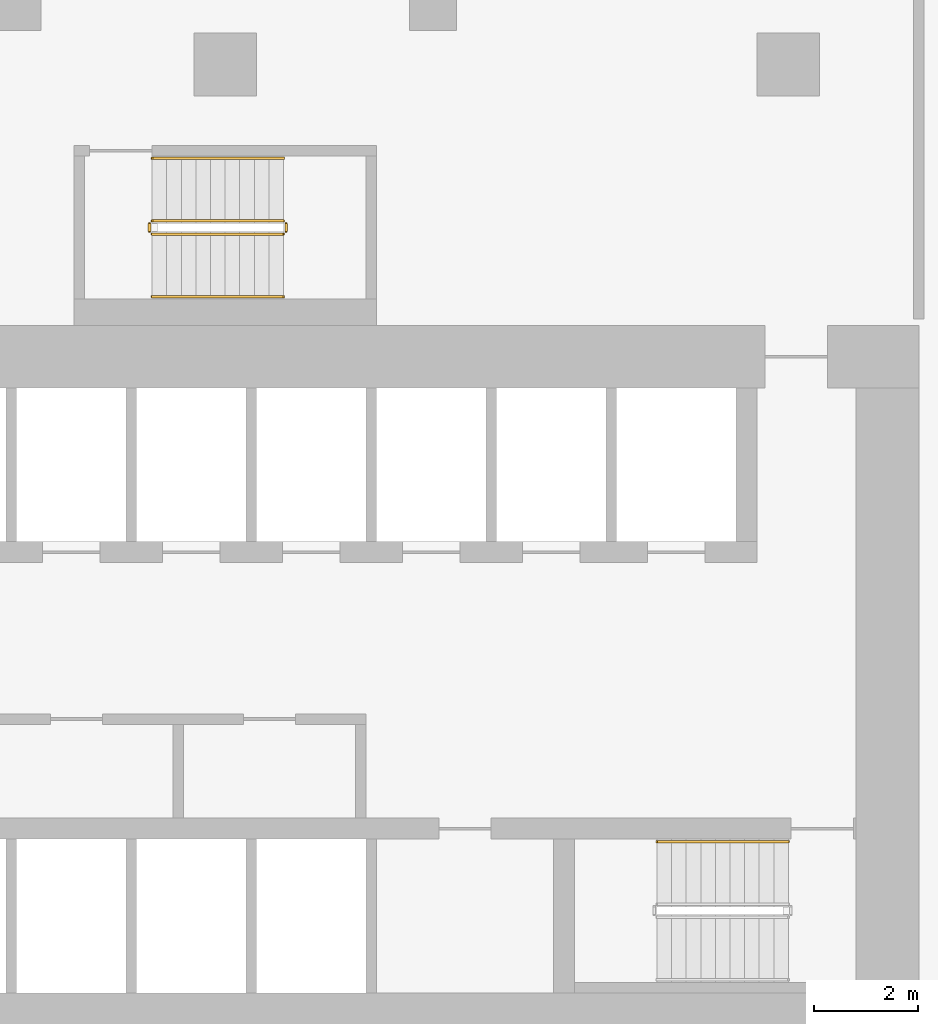
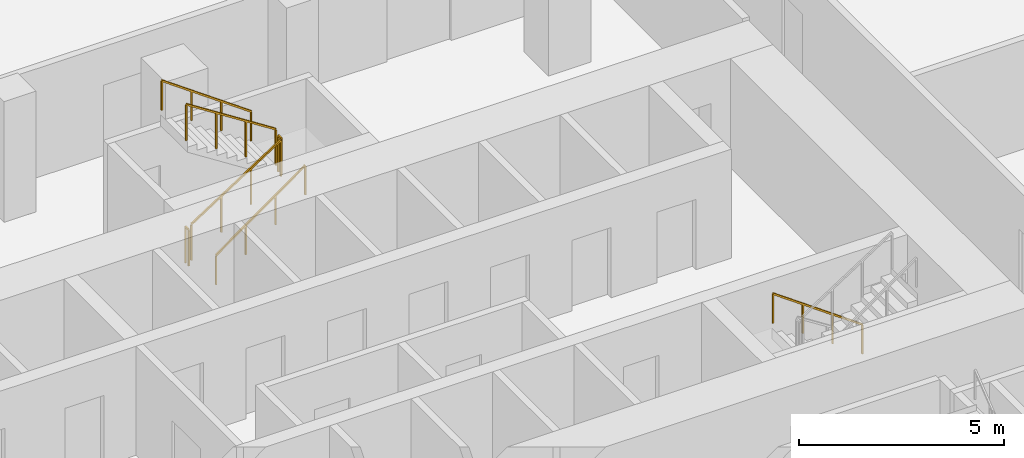
# One storey, part 35 of 38: 7 railings.
"""IFC4 building model written with IfcOpenShell, lengths in metres."""

from ifc_helpers import new_model, si_unit, direction, frame, origin, origin_2d, place, context, subcontext, project, spatial, rectangle, extrude, material, type_object, element, save


model = new_model("IFC4")

# Units and contexts
model_context = context("Model", 3, precision=1e-05, world=origin(), true_north=direction((0.0, 1.0)))
body_context = subcontext(model_context, "Body", "Model", "MODEL_VIEW")
ifc_project = project(units=[si_unit("LENGTHUNIT", "METRE"), si_unit("AREAUNIT", "SQUARE_METRE"), si_unit("VOLUMEUNIT", "CUBIC_METRE"), si_unit("PLANEANGLEUNIT", "RADIAN"), si_unit("MASSUNIT", "GRAM", prefix="KILO")], contexts=[model_context])

# Site, building, storey
site_placement = place(None, origin())
site = spatial("IfcSite", under=ifc_project, at=site_placement, CompositionType="ELEMENT")
building_placement = place(site_placement, origin())
building = spatial("IfcBuilding", under=site, at=building_placement, Name="Beryl Residences", CompositionType="ELEMENT")
storey_placement = place(building_placement, frame((0.0, 0.0, 9.0)))
storey = spatial("IfcBuildingStorey", under=building, at=storey_placement, Name="L02", CompositionType="ELEMENT", Elevation=9.0)

# Railings
ifc_material_1 = material(Name="Stainless steel balustrade with glass infill", Category="steel")
railing_type_1 = type_object("IfcRailingType", Name="SG1 stair guard 1100 mm", PredefinedType="GUARDRAIL", material=ifc_material_1)
railing_1_placement = place(storey_placement, frame((-1.39990234375, -3.25, 0.179931640625)))
element("IfcRailing", 1, at=railing_1_placement, inside=storey, type_object=railing_type_1, Name="L02 ST-4 stair guard 1", PredefinedType="GUARDRAIL", context=body_context, shape_type="SweptSolid", body=[
    extrude(rectangle(XDim=0.048095703125, YDim=0.048095703125, at=origin_2d()), frame((0.0, 0.0, 1.076171875), z_axis=(0.841162588446, 0.0, 0.540782303519), x_axis=(0.0, 1.0, 0.0)), (0.0, 0.0, 1.0), 2.995849609375),
    extrude(rectangle(XDim=0.0419921875, YDim=0.0419921875, at=origin_2d()), origin(), (0.0, 0.0, 1.0), 1.052001953125),
    extrude(rectangle(XDim=0.0419921875, YDim=0.0419921875, at=origin_2d()), frame((0.840087890625, 0.0, 0.5400390625)), (0.0, 0.0, 1.0), 1.052001953125),
    extrude(rectangle(XDim=0.0419921875, YDim=0.0419921875, at=origin_2d()), frame((1.679931640625, 0.0, 1.080078125)), (0.0, 0.0, 1.0), 1.052001953125),
    extrude(rectangle(XDim=0.0419921875, YDim=0.0419921875, at=origin_2d()), frame((2.52001953125, 0.0, 1.6201171875)), (0.0, 0.0, 1.0), 1.052001953125),
])
railing_2_placement = place(storey_placement, frame((1.169921875, -3.199951171875, 1.800048828125)))
element("IfcRailing", 2, at=railing_2_placement, inside=storey, type_object=railing_type_1, Name="L02 ST-4 stair guard 2", PredefinedType="GUARDRAIL", context=body_context, shape_type="SweptSolid", body=[
    extrude(rectangle(XDim=0.048095703125, YDim=0.048095703125, at=origin_2d()), frame((0.0, 0.0, 1.076171875), z_axis=(0.0, 1.0, 0.0), x_axis=(-1.0, 0.0, 0.0)), (0.0, 0.0, 1.0), 0.14990234375),
    extrude(rectangle(XDim=0.0419921875, YDim=0.0419921875, at=origin_2d()), origin(), (0.0, 0.0, 1.0), 1.052001953125),
    extrude(rectangle(XDim=0.0419921875, YDim=0.0419921875, at=origin_2d()), frame((0.0, 0.14990234375, 0.0)), (0.0, 0.0, 1.0), 1.052001953125),
])
railing_3_placement = place(storey_placement, frame((1.1201171875, -3.0, 1.97998046875)))
element("IfcRailing", 3, at=railing_3_placement, inside=storey, type_object=railing_type_1, Name="L02 ST-4 stair guard 3", PredefinedType="GUARDRAIL", context=body_context, shape_type="SweptSolid", body=[
    extrude(rectangle(XDim=0.048095703125, YDim=0.048095703125, at=origin_2d()), frame((0.0, 0.0, 1.076171875), z_axis=(-0.841162588446, 0.0, 0.540782303519), x_axis=(0.0, -1.0, 0.0)), (0.0, 0.0, 1.0), 2.995849609375),
    extrude(rectangle(XDim=0.0419921875, YDim=0.0419921875, at=origin_2d()), origin(), (0.0, 0.0, 1.0), 1.052001953125),
    extrude(rectangle(XDim=0.0419921875, YDim=0.0419921875, at=origin_2d()), frame((-0.840087890625, 0.0, 0.5400390625)), (0.0, 0.0, 1.0), 1.052001953125),
    extrude(rectangle(XDim=0.0419921875, YDim=0.0419921875, at=origin_2d()), frame((-1.679931640625, 0.0, 1.080078125)), (0.0, 0.0, 1.0), 1.052001953125),
    extrude(rectangle(XDim=0.0419921875, YDim=0.0419921875, at=origin_2d()), frame((-2.52001953125, 0.0, 1.6201171875)), (0.0, 0.0, 1.0), 1.052001953125),
])
railing_4_placement = place(storey_placement, frame((-1.449951171875, -3.199951171875, 0.0)))
element("IfcRailing", 4, at=railing_4_placement, inside=storey, type_object=railing_type_1, Name="L02 ST-4 stair guard 4", PredefinedType="GUARDRAIL", context=body_context, shape_type="SweptSolid", body=[
    extrude(rectangle(XDim=0.048095703125, YDim=0.048095703125, at=origin_2d()), frame((0.0, 0.0, 1.076171875), z_axis=(0.0, 1.0, 0.0), x_axis=(-1.0, 0.0, 0.0)), (0.0, 0.0, 1.0), 0.14990234375),
    extrude(rectangle(XDim=0.0419921875, YDim=0.0419921875, at=origin_2d()), origin(), (0.0, 0.0, 1.0), 1.052001953125),
    extrude(rectangle(XDim=0.0419921875, YDim=0.0419921875, at=origin_2d()), frame((0.0, 0.14990234375, 0.0)), (0.0, 0.0, 1.0), 1.052001953125),
])
ifc_material_2 = material(Name="Stainless steel handrail", Category="steel")
railing_type_2 = type_object("IfcRailingType", Name="SRL1 stair handrail 900 mm", PredefinedType="HANDRAIL", material=ifc_material_2)
railing_5_placement = place(storey_placement, frame((10.800048828125, -14.89990234375, 0.179931640625)))
element("IfcRailing", 5, at=railing_5_placement, inside=storey, type_object=railing_type_2, Name="L02 ST-3 stair handrail 1", PredefinedType="HANDRAIL", context=body_context, shape_type="SweptSolid", body=[
    extrude(rectangle(XDim=0.048095703125, YDim=0.048095703125, at=origin_2d()), frame((0.0, 0.0, 0.8759765625), z_axis=(-0.813728144527, 0.0, 0.581245650998), x_axis=(0.0, -1.0, 0.0)), (0.0, 0.0, 1.0), 3.096923828125),
    extrude(rectangle(XDim=0.0419921875, YDim=0.0419921875, at=origin_2d()), origin(), (0.0, 0.0, 1.0), 0.851806640625),
    extrude(rectangle(XDim=0.0419921875, YDim=0.0419921875, at=origin_2d()), frame((-0.840087890625, 0.0, 0.60009765625)), (0.0, 0.0, 1.0), 0.851806640625),
    extrude(rectangle(XDim=0.0419921875, YDim=0.0419921875, at=origin_2d()), frame((-1.679931640625, 0.0, 1.199951171875)), (0.0, 0.0, 1.0), 0.851806640625),
    extrude(rectangle(XDim=0.0419921875, YDim=0.0419921875, at=origin_2d()), frame((-2.52001953125, 0.0, 1.800048828125)), (0.0, 0.0, 1.0), 0.851806640625),
])
railing_6_placement = place(storey_placement, frame((-1.39990234375, -4.449951171875, 0.179931640625)))
element("IfcRailing", 6, at=railing_6_placement, inside=storey, type_object=railing_type_2, Name="L02 ST-4 stair handrail 1", PredefinedType="HANDRAIL", context=body_context, shape_type="SweptSolid", body=[
    extrude(rectangle(XDim=0.048095703125, YDim=0.048095703125, at=origin_2d()), frame((0.0, 0.0, 0.8759765625), z_axis=(0.813728144527, 0.0, 0.581245650998), x_axis=(0.0, 1.0, 0.0)), (0.0, 0.0, 1.0), 3.096923828125),
    extrude(rectangle(XDim=0.0419921875, YDim=0.0419921875, at=origin_2d()), origin(), (0.0, 0.0, 1.0), 0.851806640625),
    extrude(rectangle(XDim=0.0419921875, YDim=0.0419921875, at=origin_2d()), frame((0.840087890625, 0.0, 0.60009765625)), (0.0, 0.0, 1.0), 0.851806640625),
    extrude(rectangle(XDim=0.0419921875, YDim=0.0419921875, at=origin_2d()), frame((1.679931640625, 0.0, 1.199951171875)), (0.0, 0.0, 1.0), 0.851806640625),
    extrude(rectangle(XDim=0.0419921875, YDim=0.0419921875, at=origin_2d()), frame((2.52001953125, 0.0, 1.800048828125)), (0.0, 0.0, 1.0), 0.851806640625),
])
railing_7_placement = place(storey_placement, frame((1.1201171875, -1.800048828125, 1.97998046875)))
element("IfcRailing", 7, at=railing_7_placement, inside=storey, type_object=railing_type_2, Name="L02 ST-4 stair handrail 2", PredefinedType="HANDRAIL", context=body_context, shape_type="SweptSolid", body=[
    extrude(rectangle(XDim=0.048095703125, YDim=0.048095703125, at=origin_2d()), frame((0.0, 0.0, 0.8759765625), z_axis=(-0.813728144527, 0.0, 0.581245650998), x_axis=(0.0, -1.0, 0.0)), (0.0, 0.0, 1.0), 3.096923828125),
    extrude(rectangle(XDim=0.0419921875, YDim=0.0419921875, at=origin_2d()), origin(), (0.0, 0.0, 1.0), 0.851806640625),
    extrude(rectangle(XDim=0.0419921875, YDim=0.0419921875, at=origin_2d()), frame((-0.840087890625, 0.0, 0.60009765625)), (0.0, 0.0, 1.0), 0.851806640625),
    extrude(rectangle(XDim=0.0419921875, YDim=0.0419921875, at=origin_2d()), frame((-1.679931640625, 0.0, 1.199951171875)), (0.0, 0.0, 1.0), 0.851806640625),
    extrude(rectangle(XDim=0.0419921875, YDim=0.0419921875, at=origin_2d()), frame((-2.52001953125, 0.0, 1.800048828125)), (0.0, 0.0, 1.0), 0.851806640625),
])

save(model, "model.ifc")
